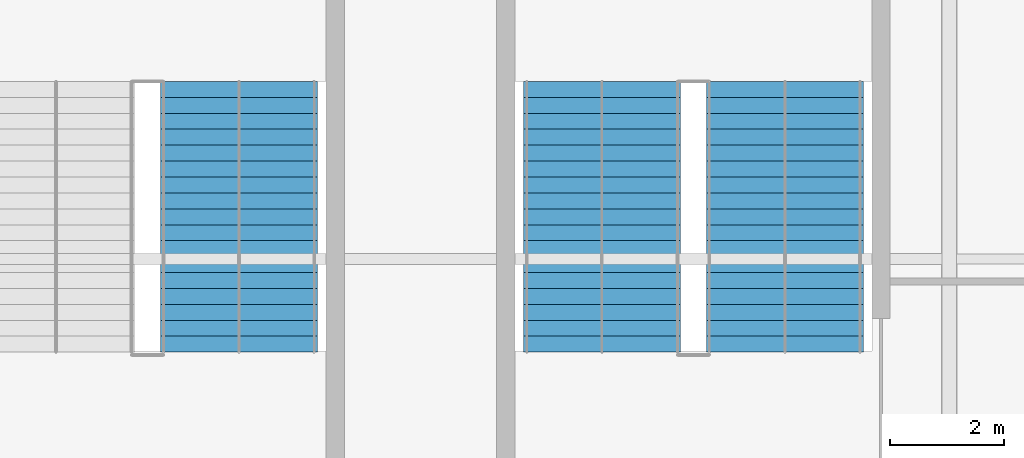
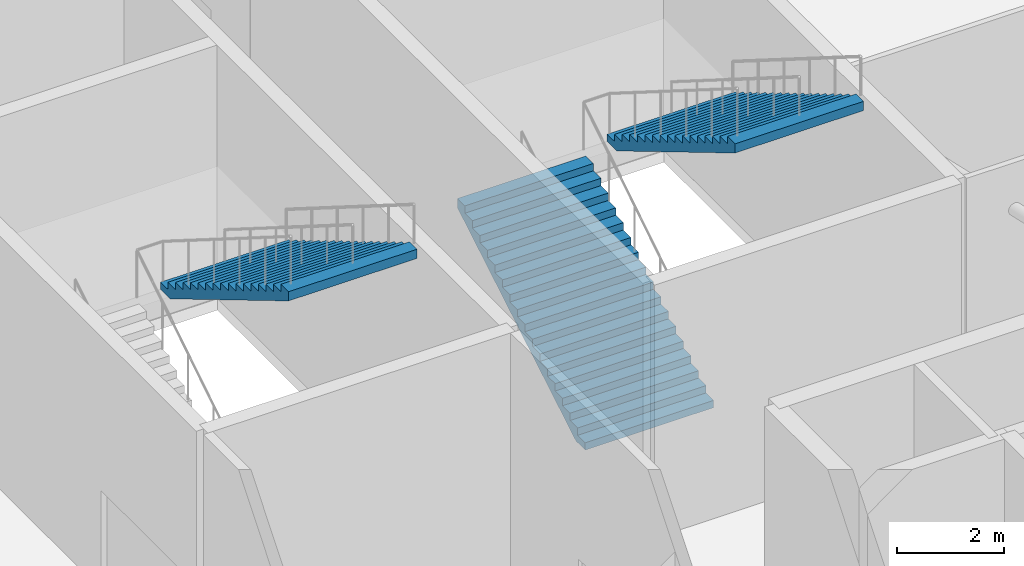
# One storey, part 63 of 84: 3 stair flights, 2 elements without a shape of their own.
"""IFC4 building model written with IfcOpenShell, lengths in metres."""

from ifc_helpers import new_model, si_unit, direction, frame, origin, place, context, subcontext, project, spatial, polygons, material, type_object, element, aggregate, save


model = new_model("IFC4")

# Units and contexts
model_context = context("Model", 3, precision=1e-05, world=origin(), true_north=direction((0.0, 1.0)))
body_context = subcontext(model_context, "Body", "Model", "MODEL_VIEW")
ifc_project = project(units=[si_unit("LENGTHUNIT", "METRE"), si_unit("AREAUNIT", "SQUARE_METRE"), si_unit("VOLUMEUNIT", "CUBIC_METRE"), si_unit("PLANEANGLEUNIT", "RADIAN"), si_unit("MASSUNIT", "GRAM", prefix="KILO")], contexts=[model_context])

# Site, building, storey
site_placement = place(None, origin())
site = spatial("IfcSite", under=ifc_project, at=site_placement, CompositionType="ELEMENT")
building_placement = place(site_placement, origin())
building = spatial("IfcBuilding", under=site, at=building_placement, Name="Kisiwana Market Hall", CompositionType="ELEMENT")
storey_placement = place(building_placement, origin())
storey = spatial("IfcBuildingStorey", under=building, at=storey_placement, Name="L00", CompositionType="ELEMENT", Elevation=0.0)

# Stair, stair flights
ifc_material_1 = material(Name="Concrete C32/40", Category="concrete")
stair_type = type_object("IfcStairType", Name="ST-ESC-6000", PredefinedType="TWO_STRAIGHT_RUN_STAIR", material=ifc_material_1)
stair_1_placement = place(storey_placement, origin())
stair_1 = element("IfcStair", 1, at=stair_1_placement, inside=storey, type_object=stair_type, Name="Escape stair ST-E3-L00", PredefinedType="TWO_STRAIGHT_RUN_STAIR")
ifc_material_2 = material(Name="Concrete C32/40", Category="concrete")
stair_flight_type = type_object("IfcStairFlightType", Name="SF-ESC-6000", PredefinedType="STRAIGHT", material=ifc_material_2)
stair_flight_1_placement = place(storey_placement, frame((182.889892578125, 42.360107421875, 0.0), z_axis=(0.0, 0.0, 1.0), x_axis=(0.0, 1.0, 0.0)))
stair_flight_1 = element("IfcStairFlight", 2, at=stair_flight_1_placement, type_object=stair_flight_type, Name="ST-E3-L00 flight 1", NumberOfRisers=18, NumberOfTreads=17, PredefinedType="STRAIGHT", RiserHeight=0.166667, TreadLength=0.28, context=body_context, shape_type="Tessellation", body=[
    polygons([(0.0, -1.380127, 0.0), (0.0, -0.690125, 0.0), (0.0, -0.000122, 0.0), (0.0, 0.68988, 0.0), (0.0, 1.379883, 0.0), (0.0, -1.380127, 0.166748), (0.0, -0.690125, 0.166748), (0.0, -0.000122, 0.166748), (0.0, 0.68988, 0.166748), (0.0, 1.379883, 0.166748), (0.280029, -1.380127, 0.166748), (0.280029, -0.690125, 0.166748), (0.280029, -0.000122, 0.166748), (0.280029, 0.68988, 0.166748), (0.280029, 1.379883, 0.166748), (0.280029, -1.380127, 0.333252), (0.280029, -0.690125, 0.333252), (0.280029, -0.000122, 0.333252), (0.280029, 0.68988, 0.333252), (0.280029, 1.379883, 0.333252), (0.560059, -1.380127, 0.333252), (0.560059, -0.690125, 0.333252), (0.560059, -0.000122, 0.333252), (0.560059, 0.68988, 0.333252), (0.560059, 1.379883, 0.333252), (0.560059, -1.380127, 0.5), (0.560059, -0.690125, 0.5), (0.560059, -0.000122, 0.5), (0.560059, 0.68988, 0.5), (0.560059, 1.379883, 0.5), (0.840088, -1.380127, 0.5), (0.840088, -0.690125, 0.5), (0.840088, -0.000122, 0.5), (0.840088, 0.68988, 0.5), (0.840088, 1.379883, 0.5), (0.840088, -1.380127, 0.666748), (0.840088, -0.690125, 0.666748), (0.840088, -0.000122, 0.666748), (0.840088, 0.68988, 0.666748), (0.840088, 1.379883, 0.666748), (1.120117, -1.380127, 0.666748), (1.120117, -0.690125, 0.666748), (1.120117, -0.000122, 0.666748), (1.120117, 0.68988, 0.666748), (1.120117, 1.379883, 0.666748), (1.120117, -1.380127, 0.833252), (1.120117, -0.690125, 0.833252), (1.120117, -0.000122, 0.833252), (1.120117, 0.68988, 0.833252), (1.120117, 1.379883, 0.833252), (1.399902, -1.380127, 0.833252), (1.399902, -0.690125, 0.833252), (1.399902, -0.000122, 0.833252), (1.399902, 0.68988, 0.833252), (1.399902, 1.379883, 0.833252), (1.399902, -1.380127, 1.0), (1.399902, -0.690125, 1.0), (1.399902, -0.000122, 1.0), (1.399902, 0.68988, 1.0), (1.399902, 1.379883, 1.0), (1.679932, -1.380127, 1.0), (1.679932, -0.690125, 1.0), (1.679932, -0.000122, 1.0), (1.679932, 0.68988, 1.0), (1.679932, 1.379883, 1.0), (1.679932, -1.380127, 1.166748), (1.679932, -0.690125, 1.166748), (1.679932, -0.000122, 1.166748), (1.679932, 0.68988, 1.166748), (1.679932, 1.379883, 1.166748), (1.959961, -1.380127, 1.166748), (1.959961, -0.690125, 1.166748), (1.959961, -0.000122, 1.166748), (1.959961, 0.68988, 1.166748), (1.959961, 1.379883, 1.166748), (1.959961, -1.380127, 1.333252), (1.959961, -0.690125, 1.333252), (1.959961, -0.000122, 1.333252), (1.959961, 0.68988, 1.333252), (1.959961, 1.379883, 1.333252), (2.23999, -1.380127, 1.333252), (2.23999, -0.690125, 1.333252), (2.23999, -0.000122, 1.333252), (2.23999, 0.68988, 1.333252), (2.23999, 1.379883, 1.333252), (2.23999, -1.380127, 1.5), (2.23999, -0.690125, 1.5), (2.23999, -0.000122, 1.5), (2.23999, 0.68988, 1.5), (2.23999, 1.379883, 1.5), (2.52002, -1.380127, 1.5), (2.52002, -0.690125, 1.5), (2.52002, -0.000122, 1.5), (2.52002, 0.68988, 1.5), (2.52002, 1.379883, 1.5), (2.52002, -1.380127, 1.666748), (2.52002, -0.690125, 1.666748), (2.52002, -0.000122, 1.666748), (2.52002, 0.68988, 1.666748), (2.52002, 1.379883, 1.666748), (2.800049, -1.380127, 1.666748), (2.800049, -0.690125, 1.666748), (2.800049, -0.000122, 1.666748), (2.800049, 0.68988, 1.666748), (2.800049, 1.379883, 1.666748), (2.800049, -1.380127, 1.833252), (2.800049, -0.690125, 1.833252), (2.800049, -0.000122, 1.833252), (2.800049, 0.68988, 1.833252), (2.800049, 1.379883, 1.833252), (3.080078, -1.380127, 1.833252), (3.080078, -0.690125, 1.833252), (3.080078, -0.000122, 1.833252), (3.080078, 0.68988, 1.833252), (3.080078, 1.379883, 1.833252), (3.080078, -1.380127, 2.0), (3.080078, -0.690125, 2.0), (3.080078, -0.000122, 2.0), (3.080078, 0.68988, 2.0), (3.080078, 1.379883, 2.0), (3.360107, -1.380127, 2.0), (3.360107, -0.690125, 2.0), (3.360107, -0.000122, 2.0), (3.360107, 0.68988, 2.0), (3.360107, 1.379883, 2.0), (3.360107, -1.380127, 2.166748), (3.360107, -0.690125, 2.166748), (3.360107, -0.000122, 2.166748), (3.360107, 0.68988, 2.166748), (3.360107, 1.379883, 2.166748), (3.639893, -1.380127, 2.166748), (3.639893, -0.690125, 2.166748), (3.639893, -0.000122, 2.166748), (3.639893, 0.68988, 2.166748), (3.639893, 1.379883, 2.166748), (3.639893, -1.380127, 2.333252), (3.639893, -0.690125, 2.333252), (3.639893, -0.000122, 2.333252), (3.639893, 0.68988, 2.333252), (3.639893, 1.379883, 2.333252), (3.919922, -1.380127, 2.333252), (3.919922, -0.690125, 2.333252), (3.919922, -0.000122, 2.333252), (3.919922, 0.68988, 2.333252), (3.919922, 1.379883, 2.333252), (3.919922, -1.380127, 2.5), (3.919922, -0.690125, 2.5), (3.919922, -0.000122, 2.5), (3.919922, 0.68988, 2.5), (3.919922, 1.379883, 2.5), (4.199951, -1.380127, 2.5), (4.199951, -0.690125, 2.5), (4.199951, -0.000122, 2.5), (4.199951, 0.68988, 2.5), (4.199951, 1.379883, 2.5), (4.199951, -1.380127, 2.666748), (4.199951, -0.690125, 2.666748), (4.199951, -0.000122, 2.666748), (4.199951, 0.68988, 2.666748), (4.199951, 1.379883, 2.666748), (4.47998, -1.380127, 2.666748), (4.47998, -0.690125, 2.666748), (4.47998, -0.000122, 2.666748), (4.47998, 0.68988, 2.666748), (4.47998, 1.379883, 2.666748), (4.47998, -1.380127, 2.833252), (4.47998, -0.690125, 2.833252), (4.47998, -0.000122, 2.833252), (4.47998, 0.68988, 2.833252), (4.47998, 1.379883, 2.833252), (4.76001, -1.380127, 2.833252), (4.76001, -0.690125, 2.833252), (4.76001, -0.000122, 2.833252), (4.76001, 0.68988, 2.833252), (4.76001, 1.379883, 2.833252), (4.76001, -1.380127, 2.624023), (4.76001, -0.690125, 2.624023), (4.76001, -0.000122, 2.624023), (4.76001, 0.68988, 2.624023), (4.76001, 1.379883, 2.624023), (0.351807, -1.380127, 0.0), (0.351807, -0.690125, 0.0), (0.351807, -0.000122, 0.0), (0.351807, 0.68988, 0.0), (0.351807, 1.379883, 0.0)], [[[1, 6, 7, 2]], [[2, 7, 8, 3]], [[3, 8, 9, 4]], [[4, 9, 10, 5]], [[6, 11, 12, 7]], [[7, 12, 13, 8]], [[8, 13, 14, 9]], [[9, 14, 15, 10]], [[11, 16, 17, 12]], [[12, 17, 18, 13]], [[13, 18, 19, 14]], [[14, 19, 20, 15]], [[16, 21, 22, 17]], [[17, 22, 23, 18]], [[18, 23, 24, 19]], [[19, 24, 25, 20]], [[21, 26, 27, 22]], [[22, 27, 28, 23]], [[23, 28, 29, 24]], [[24, 29, 30, 25]], [[26, 31, 32, 27]], [[27, 32, 33, 28]], [[28, 33, 34, 29]], [[29, 34, 35, 30]], [[31, 36, 37, 32]], [[32, 37, 38, 33]], [[33, 38, 39, 34]], [[34, 39, 40, 35]], [[36, 41, 42, 37]], [[37, 42, 43, 38]], [[38, 43, 44, 39]], [[39, 44, 45, 40]], [[41, 46, 47, 42]], [[42, 47, 48, 43]], [[43, 48, 49, 44]], [[44, 49, 50, 45]], [[46, 51, 52, 47]], [[47, 52, 53, 48]], [[48, 53, 54, 49]], [[49, 54, 55, 50]], [[51, 56, 57, 52]], [[52, 57, 58, 53]], [[53, 58, 59, 54]], [[54, 59, 60, 55]], [[56, 61, 62, 57]], [[57, 62, 63, 58]], [[58, 63, 64, 59]], [[59, 64, 65, 60]], [[61, 66, 67, 62]], [[62, 67, 68, 63]], [[63, 68, 69, 64]], [[64, 69, 70, 65]], [[66, 71, 72, 67]], [[67, 72, 73, 68]], [[68, 73, 74, 69]], [[69, 74, 75, 70]], [[71, 76, 77, 72]], [[72, 77, 78, 73]], [[73, 78, 79, 74]], [[74, 79, 80, 75]], [[76, 81, 82, 77]], [[77, 82, 83, 78]], [[78, 83, 84, 79]], [[79, 84, 85, 80]], [[81, 86, 87, 82]], [[82, 87, 88, 83]], [[83, 88, 89, 84]], [[84, 89, 90, 85]], [[86, 91, 92, 87]], [[87, 92, 93, 88]], [[88, 93, 94, 89]], [[89, 94, 95, 90]], [[91, 96, 97, 92]], [[92, 97, 98, 93]], [[93, 98, 99, 94]], [[94, 99, 100, 95]], [[96, 101, 102, 97]], [[97, 102, 103, 98]], [[98, 103, 104, 99]], [[99, 104, 105, 100]], [[101, 106, 107, 102]], [[102, 107, 108, 103]], [[103, 108, 109, 104]], [[104, 109, 110, 105]], [[106, 111, 112, 107]], [[107, 112, 113, 108]], [[108, 113, 114, 109]], [[109, 114, 115, 110]], [[111, 116, 117, 112]], [[112, 117, 118, 113]], [[113, 118, 119, 114]], [[114, 119, 120, 115]], [[116, 121, 122, 117]], [[117, 122, 123, 118]], [[118, 123, 124, 119]], [[119, 124, 125, 120]], [[121, 126, 127, 122]], [[122, 127, 128, 123]], [[123, 128, 129, 124]], [[124, 129, 130, 125]], [[126, 131, 132, 127]], [[127, 132, 133, 128]], [[128, 133, 134, 129]], [[129, 134, 135, 130]], [[131, 136, 137, 132]], [[132, 137, 138, 133]], [[133, 138, 139, 134]], [[134, 139, 140, 135]], [[136, 141, 142, 137]], [[137, 142, 143, 138]], [[138, 143, 144, 139]], [[139, 144, 145, 140]], [[141, 146, 147, 142]], [[142, 147, 148, 143]], [[143, 148, 149, 144]], [[144, 149, 150, 145]], [[146, 151, 152, 147]], [[147, 152, 153, 148]], [[148, 153, 154, 149]], [[149, 154, 155, 150]], [[151, 156, 157, 152]], [[152, 157, 158, 153]], [[153, 158, 159, 154]], [[154, 159, 160, 155]], [[156, 161, 162, 157]], [[157, 162, 163, 158]], [[158, 163, 164, 159]], [[159, 164, 165, 160]], [[161, 166, 167, 162]], [[162, 167, 168, 163]], [[163, 168, 169, 164]], [[164, 169, 170, 165]], [[166, 171, 172, 167]], [[167, 172, 173, 168]], [[168, 173, 174, 169]], [[169, 174, 175, 170]], [[171, 176, 177, 172]], [[172, 177, 178, 173]], [[173, 178, 179, 174]], [[174, 179, 180, 175]], [[176, 181, 182, 177]], [[177, 182, 183, 178]], [[178, 183, 184, 179]], [[179, 184, 185, 180]], [[181, 1, 2, 182]], [[182, 2, 3, 183]], [[183, 3, 4, 184]], [[184, 4, 5, 185]], [[181, 176, 171, 166, 161, 156, 151, 146, 141, 136, 131, 126, 121, 116, 111, 106, 101, 96, 91, 86, 81, 76, 71, 66, 61, 56, 51, 46, 41, 36, 31, 26, 21, 16, 11, 6, 1]], [[5, 10, 15, 20, 25, 30, 35, 40, 45, 50, 55, 60, 65, 70, 75, 80, 85, 90, 95, 100, 105, 110, 115, 120, 125, 130, 135, 140, 145, 150, 155, 160, 165, 170, 175, 180, 185]]], closed=True),
])
stair_flight_2_placement = place(storey_placement, frame((186.110107421875, 47.1201171875, 3.0), z_axis=(0.0, 0.0, 1.0), x_axis=(0.0, -1.0, 0.0)))
stair_flight_2 = element("IfcStairFlight", 3, at=stair_flight_2_placement, type_object=stair_flight_type, Name="ST-E3-L00 flight 2", NumberOfRisers=18, NumberOfTreads=17, PredefinedType="STRAIGHT", RiserHeight=0.166667, TreadLength=0.28, context=body_context, shape_type="Tessellation", body=[
    polygons([(0.0, -1.380127, 0.0), (0.0, -0.690125, 0.0), (0.0, -0.000122, 0.0), (0.0, 0.68988, 0.0), (0.0, 1.379883, 0.0), (0.0, -1.380127, 0.166748), (0.0, -0.690125, 0.166748), (0.0, -0.000122, 0.166748), (0.0, 0.68988, 0.166748), (0.0, 1.379883, 0.166748), (0.280029, -1.380127, 0.166748), (0.280029, -0.690125, 0.166748), (0.280029, -0.000122, 0.166748), (0.280029, 0.68988, 0.166748), (0.280029, 1.379883, 0.166748), (0.280029, -1.380127, 0.333252), (0.280029, -0.690125, 0.333252), (0.280029, -0.000122, 0.333252), (0.280029, 0.68988, 0.333252), (0.280029, 1.379883, 0.333252), (0.560059, -1.380127, 0.333252), (0.560059, -0.690125, 0.333252), (0.560059, -0.000122, 0.333252), (0.560059, 0.68988, 0.333252), (0.560059, 1.379883, 0.333252), (0.560059, -1.380127, 0.5), (0.560059, -0.690125, 0.5), (0.560059, -0.000122, 0.5), (0.560059, 0.68988, 0.5), (0.560059, 1.379883, 0.5), (0.840088, -1.380127, 0.5), (0.840088, -0.690125, 0.5), (0.840088, -0.000122, 0.5), (0.840088, 0.68988, 0.5), (0.840088, 1.379883, 0.5), (0.840088, -1.380127, 0.666748), (0.840088, -0.690125, 0.666748), (0.840088, -0.000122, 0.666748), (0.840088, 0.68988, 0.666748), (0.840088, 1.379883, 0.666748), (1.120117, -1.380127, 0.666748), (1.120117, -0.690125, 0.666748), (1.120117, -0.000122, 0.666748), (1.120117, 0.68988, 0.666748), (1.120117, 1.379883, 0.666748), (1.120117, -1.380127, 0.833252), (1.120117, -0.690125, 0.833252), (1.120117, -0.000122, 0.833252), (1.120117, 0.68988, 0.833252), (1.120117, 1.379883, 0.833252), (1.399902, -1.380127, 0.833252), (1.399902, -0.690125, 0.833252), (1.399902, -0.000122, 0.833252), (1.399902, 0.68988, 0.833252), (1.399902, 1.379883, 0.833252), (1.399902, -1.380127, 1.0), (1.399902, -0.690125, 1.0), (1.399902, -0.000122, 1.0), (1.399902, 0.68988, 1.0), (1.399902, 1.379883, 1.0), (1.679932, -1.380127, 1.0), (1.679932, -0.690125, 1.0), (1.679932, -0.000122, 1.0), (1.679932, 0.68988, 1.0), (1.679932, 1.379883, 1.0), (1.679932, -1.380127, 1.166748), (1.679932, -0.690125, 1.166748), (1.679932, -0.000122, 1.166748), (1.679932, 0.68988, 1.166748), (1.679932, 1.379883, 1.166748), (1.959961, -1.380127, 1.166748), (1.959961, -0.690125, 1.166748), (1.959961, -0.000122, 1.166748), (1.959961, 0.68988, 1.166748), (1.959961, 1.379883, 1.166748), (1.959961, -1.380127, 1.333252), (1.959961, -0.690125, 1.333252), (1.959961, -0.000122, 1.333252), (1.959961, 0.68988, 1.333252), (1.959961, 1.379883, 1.333252), (2.23999, -1.380127, 1.333252), (2.23999, -0.690125, 1.333252), (2.23999, -0.000122, 1.333252), (2.23999, 0.68988, 1.333252), (2.23999, 1.379883, 1.333252), (2.23999, -1.380127, 1.5), (2.23999, -0.690125, 1.5), (2.23999, -0.000122, 1.5), (2.23999, 0.68988, 1.5), (2.23999, 1.379883, 1.5), (2.52002, -1.380127, 1.5), (2.52002, -0.690125, 1.5), (2.52002, -0.000122, 1.5), (2.52002, 0.68988, 1.5), (2.52002, 1.379883, 1.5), (2.52002, -1.380127, 1.666748), (2.52002, -0.690125, 1.666748), (2.52002, -0.000122, 1.666748), (2.52002, 0.68988, 1.666748), (2.52002, 1.379883, 1.666748), (2.800049, -1.380127, 1.666748), (2.800049, -0.690125, 1.666748), (2.800049, -0.000122, 1.666748), (2.800049, 0.68988, 1.666748), (2.800049, 1.379883, 1.666748), (2.800049, -1.380127, 1.833252), (2.800049, -0.690125, 1.833252), (2.800049, -0.000122, 1.833252), (2.800049, 0.68988, 1.833252), (2.800049, 1.379883, 1.833252), (3.080078, -1.380127, 1.833252), (3.080078, -0.690125, 1.833252), (3.080078, -0.000122, 1.833252), (3.080078, 0.68988, 1.833252), (3.080078, 1.379883, 1.833252), (3.080078, -1.380127, 2.0), (3.080078, -0.690125, 2.0), (3.080078, -0.000122, 2.0), (3.080078, 0.68988, 2.0), (3.080078, 1.379883, 2.0), (3.360107, -1.380127, 2.0), (3.360107, -0.690125, 2.0), (3.360107, -0.000122, 2.0), (3.360107, 0.68988, 2.0), (3.360107, 1.379883, 2.0), (3.360107, -1.380127, 2.166748), (3.360107, -0.690125, 2.166748), (3.360107, -0.000122, 2.166748), (3.360107, 0.68988, 2.166748), (3.360107, 1.379883, 2.166748), (3.639893, -1.380127, 2.166748), (3.639893, -0.690125, 2.166748), (3.639893, -0.000122, 2.166748), (3.639893, 0.68988, 2.166748), (3.639893, 1.379883, 2.166748), (3.639893, -1.380127, 2.333252), (3.639893, -0.690125, 2.333252), (3.639893, -0.000122, 2.333252), (3.639893, 0.68988, 2.333252), (3.639893, 1.379883, 2.333252), (3.919922, -1.380127, 2.333252), (3.919922, -0.690125, 2.333252), (3.919922, -0.000122, 2.333252), (3.919922, 0.68988, 2.333252), (3.919922, 1.379883, 2.333252), (3.919922, -1.380127, 2.5), (3.919922, -0.690125, 2.5), (3.919922, -0.000122, 2.5), (3.919922, 0.68988, 2.5), (3.919922, 1.379883, 2.5), (4.199951, -1.380127, 2.5), (4.199951, -0.690125, 2.5), (4.199951, -0.000122, 2.5), (4.199951, 0.68988, 2.5), (4.199951, 1.379883, 2.5), (4.199951, -1.380127, 2.666748), (4.199951, -0.690125, 2.666748), (4.199951, -0.000122, 2.666748), (4.199951, 0.68988, 2.666748), (4.199951, 1.379883, 2.666748), (4.47998, -1.380127, 2.666748), (4.47998, -0.690125, 2.666748), (4.47998, -0.000122, 2.666748), (4.47998, 0.68988, 2.666748), (4.47998, 1.379883, 2.666748), (4.47998, -1.380127, 2.833252), (4.47998, -0.690125, 2.833252), (4.47998, -0.000122, 2.833252), (4.47998, 0.68988, 2.833252), (4.47998, 1.379883, 2.833252), (4.76001, -1.380127, 2.833252), (4.76001, -0.690125, 2.833252), (4.76001, -0.000122, 2.833252), (4.76001, 0.68988, 2.833252), (4.76001, 1.379883, 2.833252), (4.76001, -1.380127, 2.624023), (4.76001, -0.690125, 2.624023), (4.76001, -0.000122, 2.624023), (4.76001, 0.68988, 2.624023), (4.76001, 1.379883, 2.624023), (0.351807, -1.380127, 0.0), (0.351807, -0.690125, 0.0), (0.351807, -0.000122, 0.0), (0.351807, 0.68988, 0.0), (0.351807, 1.379883, 0.0)], [[[1, 6, 7, 2]], [[2, 7, 8, 3]], [[3, 8, 9, 4]], [[4, 9, 10, 5]], [[6, 11, 12, 7]], [[7, 12, 13, 8]], [[8, 13, 14, 9]], [[9, 14, 15, 10]], [[11, 16, 17, 12]], [[12, 17, 18, 13]], [[13, 18, 19, 14]], [[14, 19, 20, 15]], [[16, 21, 22, 17]], [[17, 22, 23, 18]], [[18, 23, 24, 19]], [[19, 24, 25, 20]], [[21, 26, 27, 22]], [[22, 27, 28, 23]], [[23, 28, 29, 24]], [[24, 29, 30, 25]], [[26, 31, 32, 27]], [[27, 32, 33, 28]], [[28, 33, 34, 29]], [[29, 34, 35, 30]], [[31, 36, 37, 32]], [[32, 37, 38, 33]], [[33, 38, 39, 34]], [[34, 39, 40, 35]], [[36, 41, 42, 37]], [[37, 42, 43, 38]], [[38, 43, 44, 39]], [[39, 44, 45, 40]], [[41, 46, 47, 42]], [[42, 47, 48, 43]], [[43, 48, 49, 44]], [[44, 49, 50, 45]], [[46, 51, 52, 47]], [[47, 52, 53, 48]], [[48, 53, 54, 49]], [[49, 54, 55, 50]], [[51, 56, 57, 52]], [[52, 57, 58, 53]], [[53, 58, 59, 54]], [[54, 59, 60, 55]], [[56, 61, 62, 57]], [[57, 62, 63, 58]], [[58, 63, 64, 59]], [[59, 64, 65, 60]], [[61, 66, 67, 62]], [[62, 67, 68, 63]], [[63, 68, 69, 64]], [[64, 69, 70, 65]], [[66, 71, 72, 67]], [[67, 72, 73, 68]], [[68, 73, 74, 69]], [[69, 74, 75, 70]], [[71, 76, 77, 72]], [[72, 77, 78, 73]], [[73, 78, 79, 74]], [[74, 79, 80, 75]], [[76, 81, 82, 77]], [[77, 82, 83, 78]], [[78, 83, 84, 79]], [[79, 84, 85, 80]], [[81, 86, 87, 82]], [[82, 87, 88, 83]], [[83, 88, 89, 84]], [[84, 89, 90, 85]], [[86, 91, 92, 87]], [[87, 92, 93, 88]], [[88, 93, 94, 89]], [[89, 94, 95, 90]], [[91, 96, 97, 92]], [[92, 97, 98, 93]], [[93, 98, 99, 94]], [[94, 99, 100, 95]], [[96, 101, 102, 97]], [[97, 102, 103, 98]], [[98, 103, 104, 99]], [[99, 104, 105, 100]], [[101, 106, 107, 102]], [[102, 107, 108, 103]], [[103, 108, 109, 104]], [[104, 109, 110, 105]], [[106, 111, 112, 107]], [[107, 112, 113, 108]], [[108, 113, 114, 109]], [[109, 114, 115, 110]], [[111, 116, 117, 112]], [[112, 117, 118, 113]], [[113, 118, 119, 114]], [[114, 119, 120, 115]], [[116, 121, 122, 117]], [[117, 122, 123, 118]], [[118, 123, 124, 119]], [[119, 124, 125, 120]], [[121, 126, 127, 122]], [[122, 127, 128, 123]], [[123, 128, 129, 124]], [[124, 129, 130, 125]], [[126, 131, 132, 127]], [[127, 132, 133, 128]], [[128, 133, 134, 129]], [[129, 134, 135, 130]], [[131, 136, 137, 132]], [[132, 137, 138, 133]], [[133, 138, 139, 134]], [[134, 139, 140, 135]], [[136, 141, 142, 137]], [[137, 142, 143, 138]], [[138, 143, 144, 139]], [[139, 144, 145, 140]], [[141, 146, 147, 142]], [[142, 147, 148, 143]], [[143, 148, 149, 144]], [[144, 149, 150, 145]], [[146, 151, 152, 147]], [[147, 152, 153, 148]], [[148, 153, 154, 149]], [[149, 154, 155, 150]], [[151, 156, 157, 152]], [[152, 157, 158, 153]], [[153, 158, 159, 154]], [[154, 159, 160, 155]], [[156, 161, 162, 157]], [[157, 162, 163, 158]], [[158, 163, 164, 159]], [[159, 164, 165, 160]], [[161, 166, 167, 162]], [[162, 167, 168, 163]], [[163, 168, 169, 164]], [[164, 169, 170, 165]], [[166, 171, 172, 167]], [[167, 172, 173, 168]], [[168, 173, 174, 169]], [[169, 174, 175, 170]], [[171, 176, 177, 172]], [[172, 177, 178, 173]], [[173, 178, 179, 174]], [[174, 179, 180, 175]], [[176, 181, 182, 177]], [[177, 182, 183, 178]], [[178, 183, 184, 179]], [[179, 184, 185, 180]], [[181, 1, 2, 182]], [[182, 2, 3, 183]], [[183, 3, 4, 184]], [[184, 4, 5, 185]], [[181, 176, 171, 166, 161, 156, 151, 146, 141, 136, 131, 126, 121, 116, 111, 106, 101, 96, 91, 86, 81, 76, 71, 66, 61, 56, 51, 46, 41, 36, 31, 26, 21, 16, 11, 6, 1]], [[5, 10, 15, 20, 25, 30, 35, 40, 45, 50, 55, 60, 65, 70, 75, 80, 85, 90, 95, 100, 105, 110, 115, 120, 125, 130, 135, 140, 145, 150, 155, 160, 165, 170, 175, 180, 185]]], closed=True),
])
aggregate(stair_1, [stair_flight_1, stair_flight_2])

# Stair, stair flight
stair_2_placement = place(storey_placement, origin())
stair_2 = element("IfcStair", 4, at=stair_2_placement, inside=storey, type_object=stair_type, Name="Escape stair ST-E7-L00", PredefinedType="TWO_STRAIGHT_RUN_STAIR")
stair_flight_3_placement = place(storey_placement, frame((176.510009765625, 47.1201171875, 3.0), z_axis=(0.0, 0.0, 1.0), x_axis=(0.0, -1.0, 0.0)))
stair_flight_3 = element("IfcStairFlight", 5, at=stair_flight_3_placement, type_object=stair_flight_type, Name="ST-E7-L00 flight 2", NumberOfRisers=18, NumberOfTreads=17, PredefinedType="STRAIGHT", RiserHeight=0.166667, TreadLength=0.28, context=body_context, shape_type="Tessellation", body=[
    polygons([(0.0, -1.380127, 0.0), (0.0, -0.690125, 0.0), (0.0, -0.000122, 0.0), (0.0, 0.68988, 0.0), (0.0, 1.379883, 0.0), (0.0, -1.380127, 0.166748), (0.0, -0.690125, 0.166748), (0.0, -0.000122, 0.166748), (0.0, 0.68988, 0.166748), (0.0, 1.379883, 0.166748), (0.280029, -1.380127, 0.166748), (0.280029, -0.690125, 0.166748), (0.280029, -0.000122, 0.166748), (0.280029, 0.68988, 0.166748), (0.280029, 1.379883, 0.166748), (0.280029, -1.380127, 0.333252), (0.280029, -0.690125, 0.333252), (0.280029, -0.000122, 0.333252), (0.280029, 0.68988, 0.333252), (0.280029, 1.379883, 0.333252), (0.560059, -1.380127, 0.333252), (0.560059, -0.690125, 0.333252), (0.560059, -0.000122, 0.333252), (0.560059, 0.68988, 0.333252), (0.560059, 1.379883, 0.333252), (0.560059, -1.380127, 0.5), (0.560059, -0.690125, 0.5), (0.560059, -0.000122, 0.5), (0.560059, 0.68988, 0.5), (0.560059, 1.379883, 0.5), (0.840088, -1.380127, 0.5), (0.840088, -0.690125, 0.5), (0.840088, -0.000122, 0.5), (0.840088, 0.68988, 0.5), (0.840088, 1.379883, 0.5), (0.840088, -1.380127, 0.666748), (0.840088, -0.690125, 0.666748), (0.840088, -0.000122, 0.666748), (0.840088, 0.68988, 0.666748), (0.840088, 1.379883, 0.666748), (1.120117, -1.380127, 0.666748), (1.120117, -0.690125, 0.666748), (1.120117, -0.000122, 0.666748), (1.120117, 0.68988, 0.666748), (1.120117, 1.379883, 0.666748), (1.120117, -1.380127, 0.833252), (1.120117, -0.690125, 0.833252), (1.120117, -0.000122, 0.833252), (1.120117, 0.68988, 0.833252), (1.120117, 1.379883, 0.833252), (1.399902, -1.380127, 0.833252), (1.399902, -0.690125, 0.833252), (1.399902, -0.000122, 0.833252), (1.399902, 0.68988, 0.833252), (1.399902, 1.379883, 0.833252), (1.399902, -1.380127, 1.0), (1.399902, -0.690125, 1.0), (1.399902, -0.000122, 1.0), (1.399902, 0.68988, 1.0), (1.399902, 1.379883, 1.0), (1.679932, -1.380127, 1.0), (1.679932, -0.690125, 1.0), (1.679932, -0.000122, 1.0), (1.679932, 0.68988, 1.0), (1.679932, 1.379883, 1.0), (1.679932, -1.380127, 1.166748), (1.679932, -0.690125, 1.166748), (1.679932, -0.000122, 1.166748), (1.679932, 0.68988, 1.166748), (1.679932, 1.379883, 1.166748), (1.959961, -1.380127, 1.166748), (1.959961, -0.690125, 1.166748), (1.959961, -0.000122, 1.166748), (1.959961, 0.68988, 1.166748), (1.959961, 1.379883, 1.166748), (1.959961, -1.380127, 1.333252), (1.959961, -0.690125, 1.333252), (1.959961, -0.000122, 1.333252), (1.959961, 0.68988, 1.333252), (1.959961, 1.379883, 1.333252), (2.23999, -1.380127, 1.333252), (2.23999, -0.690125, 1.333252), (2.23999, -0.000122, 1.333252), (2.23999, 0.68988, 1.333252), (2.23999, 1.379883, 1.333252), (2.23999, -1.380127, 1.5), (2.23999, -0.690125, 1.5), (2.23999, -0.000122, 1.5), (2.23999, 0.68988, 1.5), (2.23999, 1.379883, 1.5), (2.52002, -1.380127, 1.5), (2.52002, -0.690125, 1.5), (2.52002, -0.000122, 1.5), (2.52002, 0.68988, 1.5), (2.52002, 1.379883, 1.5), (2.52002, -1.380127, 1.666748), (2.52002, -0.690125, 1.666748), (2.52002, -0.000122, 1.666748), (2.52002, 0.68988, 1.666748), (2.52002, 1.379883, 1.666748), (2.800049, -1.380127, 1.666748), (2.800049, -0.690125, 1.666748), (2.800049, -0.000122, 1.666748), (2.800049, 0.68988, 1.666748), (2.800049, 1.379883, 1.666748), (2.800049, -1.380127, 1.833252), (2.800049, -0.690125, 1.833252), (2.800049, -0.000122, 1.833252), (2.800049, 0.68988, 1.833252), (2.800049, 1.379883, 1.833252), (3.080078, -1.380127, 1.833252), (3.080078, -0.690125, 1.833252), (3.080078, -0.000122, 1.833252), (3.080078, 0.68988, 1.833252), (3.080078, 1.379883, 1.833252), (3.080078, -1.380127, 2.0), (3.080078, -0.690125, 2.0), (3.080078, -0.000122, 2.0), (3.080078, 0.68988, 2.0), (3.080078, 1.379883, 2.0), (3.360107, -1.380127, 2.0), (3.360107, -0.690125, 2.0), (3.360107, -0.000122, 2.0), (3.360107, 0.68988, 2.0), (3.360107, 1.379883, 2.0), (3.360107, -1.380127, 2.166748), (3.360107, -0.690125, 2.166748), (3.360107, -0.000122, 2.166748), (3.360107, 0.68988, 2.166748), (3.360107, 1.379883, 2.166748), (3.639893, -1.380127, 2.166748), (3.639893, -0.690125, 2.166748), (3.639893, -0.000122, 2.166748), (3.639893, 0.68988, 2.166748), (3.639893, 1.379883, 2.166748), (3.639893, -1.380127, 2.333252), (3.639893, -0.690125, 2.333252), (3.639893, -0.000122, 2.333252), (3.639893, 0.68988, 2.333252), (3.639893, 1.379883, 2.333252), (3.919922, -1.380127, 2.333252), (3.919922, -0.690125, 2.333252), (3.919922, -0.000122, 2.333252), (3.919922, 0.68988, 2.333252), (3.919922, 1.379883, 2.333252), (3.919922, -1.380127, 2.5), (3.919922, -0.690125, 2.5), (3.919922, -0.000122, 2.5), (3.919922, 0.68988, 2.5), (3.919922, 1.379883, 2.5), (4.199951, -1.380127, 2.5), (4.199951, -0.690125, 2.5), (4.199951, -0.000122, 2.5), (4.199951, 0.68988, 2.5), (4.199951, 1.379883, 2.5), (4.199951, -1.380127, 2.666748), (4.199951, -0.690125, 2.666748), (4.199951, -0.000122, 2.666748), (4.199951, 0.68988, 2.666748), (4.199951, 1.379883, 2.666748), (4.47998, -1.380127, 2.666748), (4.47998, -0.690125, 2.666748), (4.47998, -0.000122, 2.666748), (4.47998, 0.68988, 2.666748), (4.47998, 1.379883, 2.666748), (4.47998, -1.380127, 2.833252), (4.47998, -0.690125, 2.833252), (4.47998, -0.000122, 2.833252), (4.47998, 0.68988, 2.833252), (4.47998, 1.379883, 2.833252), (4.76001, -1.380127, 2.833252), (4.76001, -0.690125, 2.833252), (4.76001, -0.000122, 2.833252), (4.76001, 0.68988, 2.833252), (4.76001, 1.379883, 2.833252), (4.76001, -1.380127, 2.624023), (4.76001, -0.690125, 2.624023), (4.76001, -0.000122, 2.624023), (4.76001, 0.68988, 2.624023), (4.76001, 1.379883, 2.624023), (0.351807, -1.380127, 0.0), (0.351807, -0.690125, 0.0), (0.351807, -0.000122, 0.0), (0.351807, 0.68988, 0.0), (0.351807, 1.379883, 0.0)], [[[1, 6, 7, 2]], [[2, 7, 8, 3]], [[3, 8, 9, 4]], [[4, 9, 10, 5]], [[6, 11, 12, 7]], [[7, 12, 13, 8]], [[8, 13, 14, 9]], [[9, 14, 15, 10]], [[11, 16, 17, 12]], [[12, 17, 18, 13]], [[13, 18, 19, 14]], [[14, 19, 20, 15]], [[16, 21, 22, 17]], [[17, 22, 23, 18]], [[18, 23, 24, 19]], [[19, 24, 25, 20]], [[21, 26, 27, 22]], [[22, 27, 28, 23]], [[23, 28, 29, 24]], [[24, 29, 30, 25]], [[26, 31, 32, 27]], [[27, 32, 33, 28]], [[28, 33, 34, 29]], [[29, 34, 35, 30]], [[31, 36, 37, 32]], [[32, 37, 38, 33]], [[33, 38, 39, 34]], [[34, 39, 40, 35]], [[36, 41, 42, 37]], [[37, 42, 43, 38]], [[38, 43, 44, 39]], [[39, 44, 45, 40]], [[41, 46, 47, 42]], [[42, 47, 48, 43]], [[43, 48, 49, 44]], [[44, 49, 50, 45]], [[46, 51, 52, 47]], [[47, 52, 53, 48]], [[48, 53, 54, 49]], [[49, 54, 55, 50]], [[51, 56, 57, 52]], [[52, 57, 58, 53]], [[53, 58, 59, 54]], [[54, 59, 60, 55]], [[56, 61, 62, 57]], [[57, 62, 63, 58]], [[58, 63, 64, 59]], [[59, 64, 65, 60]], [[61, 66, 67, 62]], [[62, 67, 68, 63]], [[63, 68, 69, 64]], [[64, 69, 70, 65]], [[66, 71, 72, 67]], [[67, 72, 73, 68]], [[68, 73, 74, 69]], [[69, 74, 75, 70]], [[71, 76, 77, 72]], [[72, 77, 78, 73]], [[73, 78, 79, 74]], [[74, 79, 80, 75]], [[76, 81, 82, 77]], [[77, 82, 83, 78]], [[78, 83, 84, 79]], [[79, 84, 85, 80]], [[81, 86, 87, 82]], [[82, 87, 88, 83]], [[83, 88, 89, 84]], [[84, 89, 90, 85]], [[86, 91, 92, 87]], [[87, 92, 93, 88]], [[88, 93, 94, 89]], [[89, 94, 95, 90]], [[91, 96, 97, 92]], [[92, 97, 98, 93]], [[93, 98, 99, 94]], [[94, 99, 100, 95]], [[96, 101, 102, 97]], [[97, 102, 103, 98]], [[98, 103, 104, 99]], [[99, 104, 105, 100]], [[101, 106, 107, 102]], [[102, 107, 108, 103]], [[103, 108, 109, 104]], [[104, 109, 110, 105]], [[106, 111, 112, 107]], [[107, 112, 113, 108]], [[108, 113, 114, 109]], [[109, 114, 115, 110]], [[111, 116, 117, 112]], [[112, 117, 118, 113]], [[113, 118, 119, 114]], [[114, 119, 120, 115]], [[116, 121, 122, 117]], [[117, 122, 123, 118]], [[118, 123, 124, 119]], [[119, 124, 125, 120]], [[121, 126, 127, 122]], [[122, 127, 128, 123]], [[123, 128, 129, 124]], [[124, 129, 130, 125]], [[126, 131, 132, 127]], [[127, 132, 133, 128]], [[128, 133, 134, 129]], [[129, 134, 135, 130]], [[131, 136, 137, 132]], [[132, 137, 138, 133]], [[133, 138, 139, 134]], [[134, 139, 140, 135]], [[136, 141, 142, 137]], [[137, 142, 143, 138]], [[138, 143, 144, 139]], [[139, 144, 145, 140]], [[141, 146, 147, 142]], [[142, 147, 148, 143]], [[143, 148, 149, 144]], [[144, 149, 150, 145]], [[146, 151, 152, 147]], [[147, 152, 153, 148]], [[148, 153, 154, 149]], [[149, 154, 155, 150]], [[151, 156, 157, 152]], [[152, 157, 158, 153]], [[153, 158, 159, 154]], [[154, 159, 160, 155]], [[156, 161, 162, 157]], [[157, 162, 163, 158]], [[158, 163, 164, 159]], [[159, 164, 165, 160]], [[161, 166, 167, 162]], [[162, 167, 168, 163]], [[163, 168, 169, 164]], [[164, 169, 170, 165]], [[166, 171, 172, 167]], [[167, 172, 173, 168]], [[168, 173, 174, 169]], [[169, 174, 175, 170]], [[171, 176, 177, 172]], [[172, 177, 178, 173]], [[173, 178, 179, 174]], [[174, 179, 180, 175]], [[176, 181, 182, 177]], [[177, 182, 183, 178]], [[178, 183, 184, 179]], [[179, 184, 185, 180]], [[181, 1, 2, 182]], [[182, 2, 3, 183]], [[183, 3, 4, 184]], [[184, 4, 5, 185]], [[181, 176, 171, 166, 161, 156, 151, 146, 141, 136, 131, 126, 121, 116, 111, 106, 101, 96, 91, 86, 81, 76, 71, 66, 61, 56, 51, 46, 41, 36, 31, 26, 21, 16, 11, 6, 1]], [[5, 10, 15, 20, 25, 30, 35, 40, 45, 50, 55, 60, 65, 70, 75, 80, 85, 90, 95, 100, 105, 110, 115, 120, 125, 130, 135, 140, 145, 150, 155, 160, 165, 170, 175, 180, 185]]], closed=True),
])
aggregate(stair_2, [stair_flight_3])

save(model, "model.ifc")
